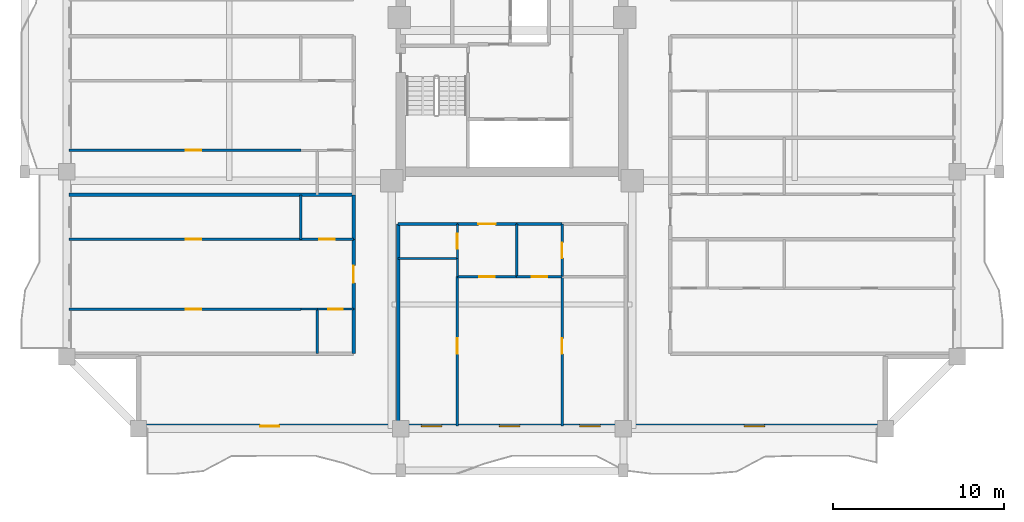
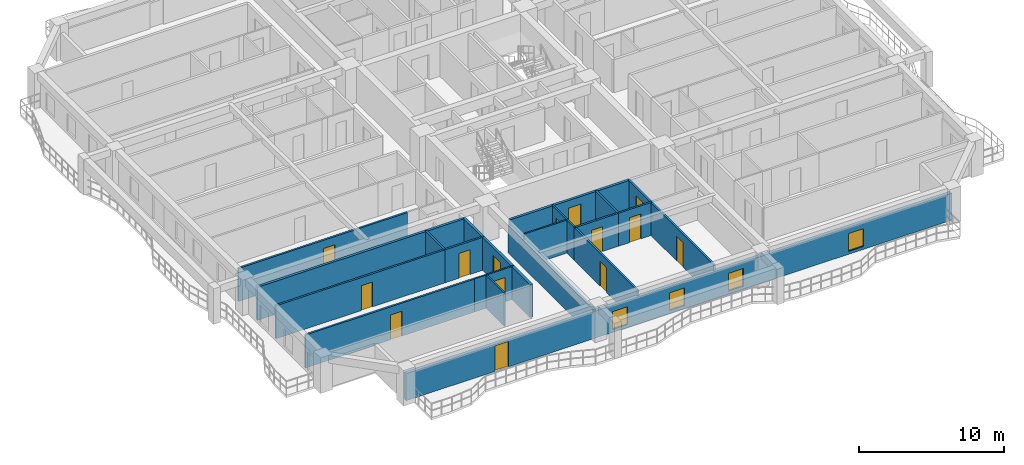
# One storey, part 2 of 14: 26 walls, 14 doors, 4 windows, 18 openings.
"""IFC4 building model written with IfcOpenShell, lengths in metres."""

import ifcopenshell
import ifcopenshell.guid

model = None  # the IFC model being written
_history = None  # IfcOwnerHistory: only IFC2X3 demands one
_inside = {}  # id of a spatial element -> (the spatial element, [elements in it])
_under = {}  # id of a project, library or spatial element -> (it, [spatial elements below it])
_declared = {}  # id of a project -> (the project, [libraries it declares])
_typed = {}  # id of a type object -> (the type object, [elements of that type])
_made_of = {}  # id of a material, layer set ... -> (it, [elements and type objects made of it])


def new_model(schema):
    """Start an empty IFC model of exactly this schema.

    Asked for "IFC4X3", IfcOpenShell would pick the latest addendum, in which some entities
    have other attributes; the version numbers below select the first issue.
    IFC2X3 requires an IfcOwnerHistory on every rooted entity: one is made here for all.
    """
    global model, _history
    if schema == "IFC4X3":
        model = ifcopenshell.file(schema_version=(4, 3, 0, 0))
    else:
        model = ifcopenshell.file(schema=schema)
    _inside.clear()
    _under.clear()
    _declared.clear()
    _typed.clear()
    _made_of.clear()
    _history = None
    if model.schema == "IFC2X3":
        org = make("IfcOrganization", Name="unknown")
        user = make(
            "IfcPersonAndOrganization",
            ThePerson=make("IfcPerson", FamilyName="unknown"),
            TheOrganization=org,
        )
        app = make(
            "IfcApplication",
            ApplicationDeveloper=org,
            Version="unknown",
            ApplicationFullName="unknown",
            ApplicationIdentifier="unknown",
        )
        _history = make(
            "IfcOwnerHistory",
            OwningUser=user,
            OwningApplication=app,
            ChangeAction="ADDED",
            CreationDate=0,
        )
    return model


def make(cls, **values):
    """One entity of the class cls with the attributes given. An attribute that is None is left unset."""
    return model.create_entity(
        cls, **{name: value for name, value in values.items() if value is not None}
    )


def rooted(cls, **values):
    """An entity with a GlobalId (a new one), such as an element, a storey or a relation."""
    return make(cls, GlobalId=ifcopenshell.guid.new(), OwnerHistory=_history, **values)


def si_unit(unit_type, name, prefix=None):
    """IfcSIUnit, for example si_unit("LENGTHUNIT", "METRE", prefix="MILLI")."""
    return make("IfcSIUnit", UnitType=unit_type, Prefix=prefix, Name=name)


def assignment(units):
    """IfcUnitAssignment: the units of a project."""
    return None if units is None else make("IfcUnitAssignment", Units=units)


def point(xyz):
    """IfcCartesianPoint."""
    return None if xyz is None else make("IfcCartesianPoint", Coordinates=xyz)


def direction(xyz):
    """IfcDirection."""
    return None if xyz is None else make("IfcDirection", DirectionRatios=xyz)


def frame(location, z_axis=None, x_axis=None):
    """IfcAxis2Placement3D, a coordinate frame: its origin and axes. An axis left out is left unset."""
    return make(
        "IfcAxis2Placement3D",
        Location=point(location),
        Axis=direction(z_axis),
        RefDirection=direction(x_axis),
    )


def frame_2d(location, x_axis=None):
    """IfcAxis2Placement2D, a coordinate frame in the plane: its origin and x axis."""
    return make(
        "IfcAxis2Placement2D", Location=point(location), RefDirection=direction(x_axis)
    )


def origin():
    """The frame at (0, 0, 0) with its axes left unset."""
    return frame((0.0, 0.0, 0.0))


def place(relative_to, where):
    """IfcLocalPlacement: puts the frame where relative to a parent placement (None: the world)."""
    return make(
        "IfcLocalPlacement", PlacementRelTo=relative_to, RelativePlacement=where
    )


def context(
    kind, dimensions, precision=None, world=None, true_north=None, identifier=None
):
    """IfcGeometricRepresentationContext, for example the 3D "Model" context."""
    return make(
        "IfcGeometricRepresentationContext",
        ContextIdentifier=identifier,
        ContextType=kind,
        CoordinateSpaceDimension=dimensions,
        Precision=precision,
        WorldCoordinateSystem=world,
        TrueNorth=true_north,
    )


def subcontext(parent, identifier, kind, view, scale=None):
    """IfcGeometricRepresentationSubContext, for example "Body" below "Model"."""
    return make(
        "IfcGeometricRepresentationSubContext",
        ContextIdentifier=identifier,
        ContextType=kind,
        ParentContext=parent,
        TargetScale=scale,
        TargetView=view,
    )


def project(units=None, contexts=None):
    """IfcProject with its units and contexts."""
    return rooted(
        "IfcProject",
        Name="project",
        RepresentationContexts=contexts,
        UnitsInContext=assignment(units),
    )


def spatial(cls, under=None, at=None, **own):
    """A site, building, storey or space (cls), placed at a placement, below another one or the project."""
    s = rooted(cls, ObjectPlacement=at, **own)
    if under is not None:
        _under.setdefault(under.id(), (under, []))[1].append(s)
    return s


def profile(cls, at=None, kind="AREA", **sizes):
    """A parametric profile (cls). Its sizes go by their IFC names, for example OverallWidth=200.0."""
    return make(cls, ProfileType=kind, Position=at, **sizes)


def rectangle(**sizes):
    """IfcRectangleProfileDef."""
    return profile("IfcRectangleProfileDef", **sizes)


def extrude(swept, where, along, depth):
    """IfcExtrudedAreaSolid: the profile swept, set in the frame where, extruded along a direction by depth."""
    return make(
        "IfcExtrudedAreaSolid",
        SweptArea=swept,
        Position=where,
        ExtrudedDirection=direction(along),
        Depth=depth,
    )


def shape(context_of_items, identifier, shape_type, items):
    """IfcShapeRepresentation: the items that make up one representation, for example the "Body"."""
    return make(
        "IfcShapeRepresentation",
        ContextOfItems=context_of_items,
        RepresentationIdentifier=identifier,
        RepresentationType=shape_type,
        Items=items,
    )


def source(mapping_origin, context_of_items, identifier, shape_type, items):
    """IfcRepresentationMap: a shape defined once, which mapped items show again and again."""
    return make(
        "IfcRepresentationMap",
        MappingOrigin=mapping_origin,
        MappedRepresentation=shape(context_of_items, identifier, shape_type, items),
    )


def transform(
    local_origin,
    x_axis=None,
    y_axis=None,
    z_axis=None,
    scale=None,
    scale2=None,
    scale3=None,
    uniform=True,
):
    """IfcCartesianTransformationOperator3D, or its non-uniform kind. x_axis, y_axis, z_axis: its Axis1, 2, 3."""
    if uniform:
        return make(
            "IfcCartesianTransformationOperator3D",
            Axis1=direction(x_axis),
            Axis2=direction(y_axis),
            LocalOrigin=point(local_origin),
            Scale=scale,
            Axis3=direction(z_axis),
        )
    return make(
        "IfcCartesianTransformationOperator3DnonUniform",
        Axis1=direction(x_axis),
        Axis2=direction(y_axis),
        LocalOrigin=point(local_origin),
        Scale=scale,
        Axis3=direction(z_axis),
        Scale2=scale2,
        Scale3=scale3,
    )


def mapped(mapping_source, mapping_target):
    """IfcMappedItem: shows the shape of a source again, moved by a transform."""
    return make(
        "IfcMappedItem", MappingSource=mapping_source, MappingTarget=mapping_target
    )


def material(Name=None, Category=None):
    """IfcMaterial."""
    return make("IfcMaterial", Name=Name, Category=Category)


def layer(
    of_material, thickness, ventilated=None, Name=None, Category=None, Priority=None
):
    """IfcMaterialLayer: one layer of a wall or slab, of a material (None: an air gap)."""
    return make(
        "IfcMaterialLayer",
        Material=of_material,
        LayerThickness=thickness,
        IsVentilated=ventilated,
        Name=Name,
        Category=Category,
        Priority=Priority,
    )


def layer_set(layers, Name=None):
    """IfcMaterialLayerSet."""
    return make("IfcMaterialLayerSet", MaterialLayers=layers, LayerSetName=Name)


def made_of(thing, what):
    """Note that an element or type object is made of a material, layer set ...; save() writes the relation."""
    if what is not None:
        _made_of.setdefault(what.id(), (what, []))[1].append(thing)
    return thing


def type_object(cls, material=None, **own):
    """A type object (cls), such as IfcWallType, which elements share."""
    return made_of(rooted(cls, **own), material)


def element(
    cls,
    number,
    at=None,
    inside=None,
    cuts=None,
    type_object=None,
    material=None,
    context=None,
    identifier="Body",
    shape_type=None,
    held_by="IfcProductDefinitionShape",
    body=None,
    shapes=None,
    **own,
):
    """One element of the class cls, such as IfcWall. Its Tag is "e" and its number.

    at: its placement. inside: the storey or other place that contains it. cuts: it is an
    opening in that element (IfcRelVoidsElement). A single representation is given by context,
    identifier, shape_type and body (its items); several are given by shapes. held_by: the class
    of the entity that holds the representations. save() writes the other relations.
    """
    e = rooted(cls, Tag="e%d" % number, ObjectPlacement=at, **own)
    if body is not None:
        shapes = [shape(context, identifier, shape_type, body)]
    if shapes is not None:
        e.Representation = make(held_by, Representations=shapes)
    if inside is not None:
        _inside.setdefault(inside.id(), (inside, []))[1].append(e)
    if cuts is not None:
        rooted(
            "IfcRelVoidsElement", RelatingBuildingElement=cuts, RelatedOpeningElement=e
        )
    if type_object is not None:
        _typed.setdefault(type_object.id(), (type_object, []))[1].append(e)
    return made_of(e, material)


def fill(opening, filler):
    """IfcRelFillsElement: the door or window that sits in an opening."""
    return rooted(
        "IfcRelFillsElement",
        RelatingOpeningElement=opening,
        RelatedBuildingElement=filler,
    )


def aggregate(whole, parts):
    """IfcRelAggregates: a whole, such as a stair, and the parts it consists of."""
    return rooted("IfcRelAggregates", RelatingObject=whole, RelatedObjects=parts)


def save(model, path):
    """Write the relations noted so far, then the file.

    IfcRelAggregates (storeys below a building ...), IfcRelContainedInSpatialStructure (elements
    in a storey), IfcRelDefinesByType, IfcRelAssociatesMaterial and IfcRelDeclares: one each for
    every whole, place, type object, material and project.
    """
    for whole, parts in _under.values():
        aggregate(whole, parts)
    for where, things in _inside.values():
        rooted(
            "IfcRelContainedInSpatialStructure",
            RelatedElements=things,
            RelatingStructure=where,
        )
    for kind, things in _typed.values():
        rooted("IfcRelDefinesByType", RelatedObjects=things, RelatingType=kind)
    for what, things in _made_of.values():
        rooted("IfcRelAssociatesMaterial", RelatedObjects=things, RelatingMaterial=what)
    for by, libraries in _declared.values():
        rooted("IfcRelDeclares", RelatingContext=by, RelatedDefinitions=libraries)
    model.write(path)


model = new_model("IFC4")

# Units and contexts
model_context = context("Model", 3, precision=1e-05, world=origin(), true_north=direction((0.0, 1.0)))
body_context = subcontext(model_context, "Body", "Model", "MODEL_VIEW")
ifc_project = project(units=[si_unit("LENGTHUNIT", "METRE"), si_unit("AREAUNIT", "SQUARE_METRE"), si_unit("VOLUMEUNIT", "CUBIC_METRE"), si_unit("PLANEANGLEUNIT", "RADIAN"), si_unit("MASSUNIT", "GRAM", prefix="KILO")], contexts=[model_context])

# Site, building, storey
site_placement = place(None, origin())
site = spatial("IfcSite", under=ifc_project, at=site_placement, CompositionType="ELEMENT")
building_placement = place(site_placement, origin())
building = spatial("IfcBuilding", under=site, at=building_placement, Name="Saelheon Loggia Tower", CompositionType="ELEMENT")
storey_placement = place(building_placement, frame((0.0, 0.0, 119.85009765625)))
storey = spatial("IfcBuildingStorey", under=building, at=storey_placement, Name="L38", CompositionType="ELEMENT", Elevation=119.85009765625)

# Wall, openings, windows, door
ifc_material_1 = material(Name="Architectural Precast Concrete C40/50", Category="concrete")
ifc_layer_1 = layer(ifc_material_1, 0.280029296875)
ifc_layer_set_1 = layer_set([ifc_layer_1], Name="Architectural Precast Concrete C40/50")
wall_type_1 = type_object("IfcWallType", Name="Wall_Ext_Loggia_280", PredefinedType="SOLIDWALL", material=ifc_layer_set_1)
wall_1_placement = place(storey_placement, frame((16.199951171875, 3.139892578125, 0.0), z_axis=(0.0, 0.0, 1.0), x_axis=(1.0, 0.0, 0.0)))
wall_1 = element("IfcWall", 1, at=wall_1_placement, inside=storey, type_object=wall_type_1, Name="L38 South Loggia Inner Wall", PredefinedType="SOLIDWALL", context=body_context, shape_type="SweptSolid", body=[
    extrude(rectangle(XDim=43.60009765625, YDim=0.280029296875, at=frame_2d((21.800048828125, 0.0))), origin(), (0.0, 0.0, 1.0), 2.27978515625),
])
opening_1_placement = place(wall_1_placement, frame((8.2001953125, 0.0, 0.0), z_axis=(0.0, 0.0, 1.0), x_axis=(-1.0, 0.0, 0.0)))
opening_1 = element("IfcOpeningElement", 2, at=opening_1_placement, cuts=wall_1, Name="Opening TD1", PredefinedType="OPENING", context=body_context, shape_type="SweptSolid", body=[
    extrude(rectangle(XDim=1.10009765625, YDim=2.14990234375, at=frame_2d((0.550048828125, 1.074951171875))), frame((0.0, 0.152099609375, 0.0), z_axis=(0.0, -1.0, 0.0), x_axis=(1.0, 0.0, 0.0)), (0.0, 0.0, 1.0), 0.303955078125),
])
opening_2_placement = place(wall_1_placement, frame((16.511474609375, 0.0, 0.25)))
opening_2 = element("IfcOpeningElement", 3, at=opening_2_placement, cuts=wall_1, Name="Opening WN-03", PredefinedType="OPENING", context=body_context, shape_type="SweptSolid", body=[
    extrude(rectangle(XDim=1.199951171875, YDim=1.5, at=frame_2d((0.60009765625, 0.75))), frame((0.0, 0.152099609375, 0.0), z_axis=(0.0, -1.0, 0.0), x_axis=(1.0, 0.0, 0.0)), (0.0, 0.0, 1.0), 0.303955078125),
])
opening_3_placement = place(wall_1_placement, frame((21.0654296875, 0.0, 0.25)))
opening_3 = element("IfcOpeningElement", 4, at=opening_3_placement, cuts=wall_1, Name="Opening WN-03", PredefinedType="OPENING", context=body_context, shape_type="SweptSolid", body=[
    extrude(rectangle(XDim=1.199951171875, YDim=1.5, at=frame_2d((0.60009765625, 0.75))), frame((0.0, 0.152099609375, 0.0), z_axis=(0.0, -1.0, 0.0), x_axis=(1.0, 0.0, 0.0)), (0.0, 0.0, 1.0), 0.303955078125),
])
opening_4_placement = place(wall_1_placement, frame((25.75390625, 0.0, 0.25)))
opening_4 = element("IfcOpeningElement", 5, at=opening_4_placement, cuts=wall_1, Name="Opening WN-03", PredefinedType="OPENING", context=body_context, shape_type="SweptSolid", body=[
    extrude(rectangle(XDim=1.199951171875, YDim=1.5, at=frame_2d((0.60009765625, 0.75))), frame((0.0, 0.152099609375, 0.0), z_axis=(0.0, -1.0, 0.0), x_axis=(1.0, 0.0, 0.0)), (0.0, 0.0, 1.0), 0.303955078125),
])
opening_5_placement = place(wall_1_placement, frame((35.35009765625, 0.0, 0.25)))
opening_5 = element("IfcOpeningElement", 6, at=opening_5_placement, cuts=wall_1, Name="Opening WN-03", PredefinedType="OPENING", context=body_context, shape_type="SweptSolid", body=[
    extrude(rectangle(XDim=1.199951171875, YDim=1.5, at=frame_2d((0.60009765625, 0.75))), frame((0.0, 0.152099609375, 0.0), z_axis=(0.0, -1.0, 0.0), x_axis=(1.0, 0.0, 0.0)), (0.0, 0.0, 1.0), 0.303955078125),
])
ifc_material_2 = material(Name="Thermal-Break Aluminium and Triple Low-E Glass", Category="aluminium")
window_type = type_object("IfcWindowType", Name="Win_Bedroom_1200x1500", PartitioningType="SINGLE_PANEL", PredefinedType="WINDOW", material=ifc_material_2)
shared_shape_1 = source(origin(), body_context, "Body", "SweptSolid", [
    extrude(rectangle(XDim=1.199951171875, YDim=1.5, at=frame_2d((0.60009765625, 0.75))), frame((0.0, 0.030029296875, 0.0), z_axis=(0.0, -1.0, 0.0), x_axis=(1.0, 0.0, 0.0)), (0.0, 0.0, 1.0), 0.06005859375),
])
window_1_placement = place(opening_2_placement, origin())
window_1 = element("IfcWindow", 7, at=window_1_placement, inside=storey, type_object=window_type, Name="L38 S Dwelling Window 2", OverallHeight=1.5, OverallWidth=1.199951171875, PartitioningType="SINGLE_PANEL", PredefinedType="WINDOW", context=body_context, shape_type="MappedRepresentation", body=[
    mapped(shared_shape_1, transform((0.0, 0.0, 0.0), scale=1.0)),
])
fill(opening_2, window_1)
window_2_placement = place(opening_3_placement, origin())
window_2 = element("IfcWindow", 8, at=window_2_placement, inside=storey, type_object=window_type, Name="L38 S Dwelling Window 3", OverallHeight=1.5, OverallWidth=1.199951171875, PartitioningType="SINGLE_PANEL", PredefinedType="WINDOW", context=body_context, shape_type="MappedRepresentation", body=[
    mapped(shared_shape_1, transform((0.0, 0.0, 0.0), scale=1.0)),
])
fill(opening_3, window_2)
window_3_placement = place(opening_4_placement, origin())
window_3 = element("IfcWindow", 9, at=window_3_placement, inside=storey, type_object=window_type, Name="L38 S Dwelling Window 4", OverallHeight=1.5, OverallWidth=1.199951171875, PartitioningType="SINGLE_PANEL", PredefinedType="WINDOW", context=body_context, shape_type="MappedRepresentation", body=[
    mapped(shared_shape_1, transform((0.0, 0.0, 0.0), scale=1.0)),
])
fill(opening_4, window_3)
window_4_placement = place(opening_5_placement, origin())
window_4 = element("IfcWindow", 10, at=window_4_placement, inside=storey, type_object=window_type, Name="L38 S Dwelling Window 5", OverallHeight=1.5, OverallWidth=1.199951171875, PartitioningType="SINGLE_PANEL", PredefinedType="WINDOW", context=body_context, shape_type="MappedRepresentation", body=[
    mapped(shared_shape_1, transform((0.0, 0.0, 0.0), scale=1.0)),
])
fill(opening_5, window_4)
ifc_material_3 = material(Name="Thermal-Break Aluminium Glazed Door", Category="aluminium")
door_type_1 = type_object("IfcDoorType", Name="Door_Terrace_TD1", OperationType="NOTDEFINED", PredefinedType="DOOR", material=ifc_material_3)
shared_shape_2 = source(origin(), body_context, "Body", "SweptSolid", [
    extrude(rectangle(XDim=1.10009765625, YDim=2.14990234375, at=frame_2d((0.550048828125, 1.074951171875))), frame((0.0, 0.02490234375, 0.0), z_axis=(0.0, -1.0, 0.0), x_axis=(1.0, 0.0, 0.0)), (0.0, 0.0, 1.0), 0.050048828125),
])
door_1_placement = place(opening_1_placement, origin())
door_1 = element("IfcDoor", 11, at=door_1_placement, inside=storey, type_object=door_type_1, Name="L38 S Loggia Access Door", OperationType="SINGLE_SWING_LEFT", OverallHeight=2.14990234375, OverallWidth=1.10009765625, PredefinedType="DOOR", context=body_context, shape_type="MappedRepresentation", body=[
    mapped(shared_shape_2, transform((0.0, 0.0, 0.0), scale=1.0)),
])
fill(opening_1, door_1)

# Wall
ifc_material_4 = material(Name="Lightweight Autoclaved Aerated Concrete Block and Acoustic Gypsum", Category="concrete")
ifc_layer_2 = layer(ifc_material_4, 0.14990234375)
ifc_layer_set_2 = layer_set([ifc_layer_2], Name="Lightweight Autoclaved Aerated Concrete Block and Acoustic Gypsum")
wall_type_2 = type_object("IfcWallType", Name="Wall_Part_150", PredefinedType="PARTITIONING", material=ifc_layer_set_2)
wall_2_placement = place(storey_placement, frame((38.27294921875, 14.949951171875, 0.0), z_axis=(0.0, 0.0, 1.0), x_axis=(0.0, -1.0, 0.0)))
element("IfcWall", 12, at=wall_2_placement, inside=storey, type_object=wall_type_2, Name="L38 S Partition U06", PredefinedType="PARTITIONING", context=body_context, shape_type="SweptSolid", body=[
    extrude(rectangle(XDim=3.079833984375, YDim=0.14990234375, at=frame_2d((1.5400390625, 0.0))), origin(), (0.0, 0.0, 1.0), 2.789794921875),
])

# Wall, opening, door
wall_3_placement = place(storey_placement, frame((34.80810546875, 11.8701171875, 0.0), z_axis=(0.0, 0.0, 1.0), x_axis=(1.0, 0.0, 0.0)))
wall_3 = element("IfcWall", 13, at=wall_3_placement, inside=storey, type_object=wall_type_2, Name="L38 S Partition V07", PredefinedType="PARTITIONING", context=body_context, shape_type="SweptSolid", body=[
    extrude(rectangle(XDim=3.46484375, YDim=0.14990234375, at=frame_2d((1.732421875, 0.0))), origin(), (0.0, 0.0, 1.0), 2.789794921875),
])
opening_6_placement = place(wall_3_placement, frame((1.282470703125, 0.0, 0.0)))
opening_6 = element("IfcOpeningElement", 14, at=opening_6_placement, cuts=wall_3, Name="Opening D-IN2", PredefinedType="OPENING", context=body_context, shape_type="SweptSolid", body=[
    extrude(rectangle(XDim=0.89990234375, YDim=2.10009765625, at=frame_2d((0.449951171875, 1.050048828125))), frame((0.0, 0.0869140625, 0.0), z_axis=(0.0, -1.0, 0.0), x_axis=(1.0, 0.0, 0.0)), (0.0, 0.0, 1.0), 0.173828125),
])
ifc_material_5 = material(Name="Engineered Oak Flush Door", Category="timber")
door_type_2 = type_object("IfcDoorType", Name="Door_Int_900", OperationType="NOTDEFINED", PredefinedType="DOOR", material=ifc_material_5)
shared_shape_3 = source(origin(), body_context, "Body", "SweptSolid", [
    extrude(rectangle(XDim=0.89990234375, YDim=2.10009765625, at=frame_2d((0.449951171875, 1.050048828125))), frame((0.0, 0.02490234375, 0.0), z_axis=(0.0, -1.0, 0.0), x_axis=(1.0, 0.0, 0.0)), (0.0, 0.0, 1.0), 0.050048828125),
])
door_2_placement = place(opening_6_placement, origin())
door_2 = element("IfcDoor", 15, at=door_2_placement, inside=storey, type_object=door_type_2, Name="Unit U01 Living Door", OperationType="SINGLE_SWING_LEFT", OverallHeight=2.10009765625, OverallWidth=0.89990234375, PredefinedType="DOOR", context=body_context, shape_type="MappedRepresentation", body=[
    mapped(shared_shape_3, transform((0.0, 0.0, 0.0), scale=1.0)),
])
fill(opening_6, door_2)

wall_4_placement = place(storey_placement, frame((38.27294921875, 11.8701171875, 0.0), z_axis=(0.0, 0.0, 1.0), x_axis=(1.0, 0.0, 0.0)))
wall_4 = element("IfcWall", 16, at=wall_4_placement, inside=storey, type_object=wall_type_2, Name="L38 S Partition V08", PredefinedType="PARTITIONING", context=body_context, shape_type="SweptSolid", body=[
    extrude(rectangle(XDim=2.64990234375, YDim=0.14990234375, at=frame_2d((1.324951171875, 0.0))), origin(), (0.0, 0.0, 1.0), 2.789794921875),
])
opening_7_placement = place(wall_4_placement, frame((0.875, 0.0, 0.0)))
opening_7 = element("IfcOpeningElement", 17, at=opening_7_placement, cuts=wall_4, Name="Opening D-IN2", PredefinedType="OPENING", context=body_context, shape_type="SweptSolid", body=[
    extrude(rectangle(XDim=0.89990234375, YDim=2.10009765625, at=frame_2d((0.449951171875, 1.050048828125))), frame((0.0, 0.0869140625, 0.0), z_axis=(0.0, -1.0, 0.0), x_axis=(1.0, 0.0, 0.0)), (0.0, 0.0, 1.0), 0.173828125),
])
door_3_placement = place(opening_7_placement, origin())
door_3 = element("IfcDoor", 18, at=door_3_placement, inside=storey, type_object=door_type_2, Name="Unit U01 Music Hobby Studio Door", OperationType="SINGLE_SWING_RIGHT", OverallHeight=2.10009765625, OverallWidth=0.89990234375, PredefinedType="DOOR", context=body_context, shape_type="MappedRepresentation", body=[
    mapped(shared_shape_3, transform((0.0, 0.0, 0.0), scale=1.0)),
])
fill(opening_7, door_3)

wall_5_placement = place(storey_placement, frame((34.80810546875, 11.8701171875, 0.0), z_axis=(0.0, 0.0, 1.0), x_axis=(0.0, -1.0, 0.0)))
wall_5 = element("IfcWall", 19, at=wall_5_placement, inside=storey, type_object=wall_type_2, Name="L38 S Partition U14", PredefinedType="PARTITIONING", context=body_context, shape_type="SweptSolid", body=[
    extrude(rectangle(XDim=8.72021484375, YDim=0.14990234375, at=frame_2d((4.360107421875, 0.0))), origin(), (0.0, 0.0, 1.0), 2.789794921875),
])
opening_8_placement = place(wall_5_placement, frame((3.604248046875, 0.0, 0.0)))
opening_8 = element("IfcOpeningElement", 20, at=opening_8_placement, cuts=wall_5, Name="Opening D-IN2", PredefinedType="OPENING", context=body_context, shape_type="SweptSolid", body=[
    extrude(rectangle(XDim=0.89990234375, YDim=2.10009765625, at=frame_2d((0.449951171875, 1.050048828125))), frame((0.0, 0.0869140625, 0.0), z_axis=(0.0, -1.0, 0.0), x_axis=(1.0, 0.0, 0.0)), (0.0, 0.0, 1.0), 0.173828125),
])
door_4_placement = place(opening_8_placement, origin())
door_4 = element("IfcDoor", 21, at=door_4_placement, inside=storey, type_object=door_type_2, Name="Unit U01 Bedroom 2 Door", OperationType="SINGLE_SWING_RIGHT", OverallHeight=2.10009765625, OverallWidth=0.89990234375, PredefinedType="DOOR", context=body_context, shape_type="MappedRepresentation", body=[
    mapped(shared_shape_3, transform((0.0, 0.0, 0.0), scale=1.0)),
])
fill(opening_8, door_4)

wall_6_placement = place(storey_placement, frame((40.9228515625, 14.949951171875, 0.0), z_axis=(0.0, 0.0, 1.0), x_axis=(0.0, -1.0, 0.0)))
wall_6 = element("IfcWall", 22, at=wall_6_placement, inside=storey, type_object=wall_type_2, Name="L38 S Partition U15", PredefinedType="PARTITIONING", context=body_context, shape_type="SweptSolid", body=[
    extrude(rectangle(XDim=3.079833984375, YDim=0.14990234375, at=frame_2d((1.5400390625, 0.0))), origin(), (0.0, 0.0, 1.0), 2.789794921875),
])
opening_9_placement = place(wall_6_placement, frame((1.090087890625, 0.0, 0.0)))
opening_9 = element("IfcOpeningElement", 23, at=opening_9_placement, cuts=wall_6, Name="Opening D-IN2", PredefinedType="OPENING", context=body_context, shape_type="SweptSolid", body=[
    extrude(rectangle(XDim=0.89990234375, YDim=2.10009765625, at=frame_2d((0.449951171875, 1.050048828125))), frame((0.0, 0.0869140625, 0.0), z_axis=(0.0, -1.0, 0.0), x_axis=(1.0, 0.0, 0.0)), (0.0, 0.0, 1.0), 0.173828125),
])
door_5_placement = place(opening_9_placement, origin())
door_5 = element("IfcDoor", 24, at=door_5_placement, inside=storey, type_object=door_type_2, Name="Unit U01 Kitchen Door", OperationType="SINGLE_SWING_LEFT", OverallHeight=2.10009765625, OverallWidth=0.89990234375, PredefinedType="DOOR", context=body_context, shape_type="MappedRepresentation", body=[
    mapped(shared_shape_3, transform((0.0, 0.0, 0.0), scale=1.0)),
])
fill(opening_9, door_5)

wall_7_placement = place(storey_placement, frame((40.9228515625, 11.8701171875, 0.0), z_axis=(0.0, 0.0, 1.0), x_axis=(0.0, -1.0, 0.0)))
wall_7 = element("IfcWall", 25, at=wall_7_placement, inside=storey, type_object=wall_type_2, Name="L38 S Partition U16", PredefinedType="PARTITIONING", context=body_context, shape_type="SweptSolid", body=[
    extrude(rectangle(XDim=8.72021484375, YDim=0.14990234375, at=frame_2d((4.360107421875, 0.0))), origin(), (0.0, 0.0, 1.0), 2.789794921875),
])
opening_10_placement = place(wall_7_placement, frame((3.604248046875, 0.0, 0.0)))
opening_10 = element("IfcOpeningElement", 26, at=opening_10_placement, cuts=wall_7, Name="Opening D-IN2", PredefinedType="OPENING", context=body_context, shape_type="SweptSolid", body=[
    extrude(rectangle(XDim=0.89990234375, YDim=2.10009765625, at=frame_2d((0.449951171875, 1.050048828125))), frame((0.0, 0.0869140625, 0.0), z_axis=(0.0, -1.0, 0.0), x_axis=(1.0, 0.0, 0.0)), (0.0, 0.0, 1.0), 0.173828125),
])
door_6_placement = place(opening_10_placement, origin())
door_6 = element("IfcDoor", 27, at=door_6_placement, inside=storey, type_object=door_type_2, Name="Unit U01 Bedroom 1 Door", OperationType="SINGLE_SWING_RIGHT", OverallHeight=2.10009765625, OverallWidth=0.89990234375, PredefinedType="DOOR", context=body_context, shape_type="MappedRepresentation", body=[
    mapped(shared_shape_3, transform((0.0, 0.0, 0.0), scale=1.0)),
])
fill(opening_10, door_6)

# Wall
wall_8_placement = place(storey_placement, frame((25.669921875, 14.050048828125, 0.0), z_axis=(0.0, 0.0, 1.0), x_axis=(0.0, 1.0, 0.0)))
element("IfcWall", 28, at=wall_8_placement, inside=storey, type_object=wall_type_2, Name="L38 WS Partition V07", PredefinedType="PARTITIONING", context=body_context, shape_type="SweptSolid", body=[
    extrude(rectangle(XDim=2.599853515625, YDim=0.14990234375, at=frame_2d((1.2998046875, 0.0))), origin(), (0.0, 0.0, 1.0), 2.789794921875),
])

# Wall, opening, door
wall_9_placement = place(storey_placement, frame((25.669921875, 9.9755859375, 0.0), z_axis=(0.0, 0.0, 1.0), x_axis=(-1.0, 0.0, 0.0)))
wall_9 = element("IfcWall", 29, at=wall_9_placement, inside=storey, type_object=wall_type_2, Name="L38 WS Partition U10", PredefinedType="PARTITIONING", context=body_context, shape_type="SweptSolid", body=[
    extrude(rectangle(XDim=13.52001953125, YDim=0.14990234375, at=frame_2d((6.760009765625, 0.0))), origin(), (0.0, 0.0, 1.0), 2.789794921875),
])
opening_11_placement = place(wall_9_placement, frame((5.80419921875, 0.0, 0.0)))
opening_11 = element("IfcOpeningElement", 30, at=opening_11_placement, cuts=wall_9, Name="Opening D-IN2", PredefinedType="OPENING", context=body_context, shape_type="SweptSolid", body=[
    extrude(rectangle(XDim=0.89990234375, YDim=2.10009765625, at=frame_2d((0.449951171875, 1.050048828125))), frame((0.0, 0.0869140625, 0.0), z_axis=(0.0, -1.0, 0.0), x_axis=(1.0, 0.0, 0.0)), (0.0, 0.0, 1.0), 0.173828125),
])
door_7_placement = place(opening_11_placement, origin())
door_7 = element("IfcDoor", 31, at=door_7_placement, inside=storey, type_object=door_type_2, Name="Unit U05 Kitchen Door", OperationType="SINGLE_SWING_LEFT", OverallHeight=2.10009765625, OverallWidth=0.89990234375, PredefinedType="DOOR", context=body_context, shape_type="MappedRepresentation", body=[
    mapped(shared_shape_3, transform((0.0, 0.0, 0.0), scale=1.0)),
])
fill(opening_11, door_7)

wall_10_placement = place(storey_placement, frame((28.75, 14.050048828125, 0.0), z_axis=(0.0, 0.0, 1.0), x_axis=(-1.0, 0.0, 0.0)))
wall_10 = element("IfcWall", 32, at=wall_10_placement, inside=storey, type_object=wall_type_2, Name="L38 WS Partition U11", PredefinedType="PARTITIONING", context=body_context, shape_type="SweptSolid", body=[
    extrude(rectangle(XDim=3.080078125, YDim=0.14990234375, at=frame_2d((1.5400390625, 0.0))), origin(), (0.0, 0.0, 1.0), 2.789794921875),
])
opening_12_placement = place(wall_10_placement, frame((1.090087890625, 0.0, 0.0)))
opening_12 = element("IfcOpeningElement", 33, at=opening_12_placement, cuts=wall_10, Name="Opening D-IN2", PredefinedType="OPENING", context=body_context, shape_type="SweptSolid", body=[
    extrude(rectangle(XDim=0.89990234375, YDim=2.10009765625, at=frame_2d((0.449951171875, 1.050048828125))), frame((0.0, 0.0869140625, 0.0), z_axis=(0.0, -1.0, 0.0), x_axis=(1.0, 0.0, 0.0)), (0.0, 0.0, 1.0), 0.173828125),
])
door_8_placement = place(opening_12_placement, origin())
door_8 = element("IfcDoor", 34, at=door_8_placement, inside=storey, type_object=door_type_2, Name="Unit U05 Dressing Closet Door", OperationType="SINGLE_SWING_RIGHT", OverallHeight=2.10009765625, OverallWidth=0.89990234375, PredefinedType="DOOR", context=body_context, shape_type="MappedRepresentation", body=[
    mapped(shared_shape_3, transform((0.0, 0.0, 0.0), scale=1.0)),
])
fill(opening_12, door_8)

wall_11_placement = place(storey_placement, frame((25.669921875, 14.050048828125, 0.0), z_axis=(0.0, 0.0, 1.0), x_axis=(-1.0, 0.0, 0.0)))
wall_11 = element("IfcWall", 35, at=wall_11_placement, inside=storey, type_object=wall_type_2, Name="L38 WS Partition U12", PredefinedType="PARTITIONING", context=body_context, shape_type="SweptSolid", body=[
    extrude(rectangle(XDim=13.52001953125, YDim=0.14990234375, at=frame_2d((6.760009765625, 0.0))), origin(), (0.0, 0.0, 1.0), 2.789794921875),
])
opening_13_placement = place(wall_11_placement, frame((5.80419921875, 0.0, 0.0)))
opening_13 = element("IfcOpeningElement", 36, at=opening_13_placement, cuts=wall_11, Name="Opening D-IN2", PredefinedType="OPENING", context=body_context, shape_type="SweptSolid", body=[
    extrude(rectangle(XDim=0.89990234375, YDim=2.10009765625, at=frame_2d((0.449951171875, 1.050048828125))), frame((0.0, 0.0869140625, 0.0), z_axis=(0.0, -1.0, 0.0), x_axis=(1.0, 0.0, 0.0)), (0.0, 0.0, 1.0), 0.173828125),
])
door_9_placement = place(opening_13_placement, origin())
door_9 = element("IfcDoor", 37, at=door_9_placement, inside=storey, type_object=door_type_2, Name="Unit U05 Bedroom 1 Door", OperationType="SINGLE_SWING_LEFT", OverallHeight=2.10009765625, OverallWidth=0.89990234375, PredefinedType="DOOR", context=body_context, shape_type="MappedRepresentation", body=[
    mapped(shared_shape_3, transform((0.0, 0.0, 0.0), scale=1.0)),
])
fill(opening_13, door_9)

wall_12_placement = place(storey_placement, frame((25.669921875, 19.24560546875, 0.0), z_axis=(0.0, 0.0, 1.0), x_axis=(-1.0, 0.0, 0.0)))
wall_12 = element("IfcWall", 38, at=wall_12_placement, inside=storey, type_object=wall_type_2, Name="L38 WS Partition U21", PredefinedType="PARTITIONING", context=body_context, shape_type="SweptSolid", body=[
    extrude(rectangle(XDim=13.52001953125, YDim=0.14990234375, at=frame_2d((6.760009765625, 0.0))), origin(), (0.0, 0.0, 1.0), 2.789794921875),
])
opening_14_placement = place(wall_12_placement, frame((5.80419921875, 0.0, 0.0)))
opening_14 = element("IfcOpeningElement", 39, at=opening_14_placement, cuts=wall_12, Name="Opening D-IN2", PredefinedType="OPENING", context=body_context, shape_type="SweptSolid", body=[
    extrude(rectangle(XDim=0.89990234375, YDim=2.10009765625, at=frame_2d((0.449951171875, 1.050048828125))), frame((0.0, 0.0869140625, 0.0), z_axis=(0.0, -1.0, 0.0), x_axis=(1.0, 0.0, 0.0)), (0.0, 0.0, 1.0), 0.173828125),
])
door_10_placement = place(opening_14_placement, origin())
door_10 = element("IfcDoor", 40, at=door_10_placement, inside=storey, type_object=door_type_2, Name="Unit U06 Kitchen Door", OperationType="SINGLE_SWING_RIGHT", OverallHeight=2.10009765625, OverallWidth=0.89990234375, PredefinedType="DOOR", context=body_context, shape_type="MappedRepresentation", body=[
    mapped(shared_shape_3, transform((0.0, 0.0, 0.0), scale=1.0)),
])
fill(opening_14, door_10)

# Walls
ifc_material_6 = material(Name="Double Acoustic Stud and Fireboard Partition", Category="gypsum")
ifc_layer_3 = layer(ifc_material_6, 0.199951171875)
ifc_layer_set_3 = layer_set([ifc_layer_3], Name="Double Acoustic Stud and Fireboard Partition")
wall_type_3 = type_object("IfcWallType", Name="Wall_Party_200", PredefinedType="PARTITIONING", material=ifc_layer_set_3)
wall_13_placement = place(storey_placement, frame((31.35009765625, 14.949951171875, 0.0), z_axis=(0.0, 0.0, 1.0), x_axis=(0.0, -1.0, 0.0)))
element("IfcWall", 41, at=wall_13_placement, inside=storey, type_object=wall_type_3, Name="L38 S Partition U01", PredefinedType="PARTITIONING", context=body_context, shape_type="SweptSolid", body=[
    extrude(rectangle(XDim=11.800048828125, YDim=0.199951171875, at=frame_2d((5.89990234375, 0.0))), origin(), (0.0, 0.0, 1.0), 2.33984375),
])
wall_14_placement = place(storey_placement, frame((31.35009765625, 14.949951171875, 0.0), z_axis=(0.0, 0.0, 1.0), x_axis=(1.0, 0.0, 0.0)))
element("IfcWall", 42, at=wall_14_placement, inside=storey, type_object=wall_type_3, Name="L38 S Partition V03", PredefinedType="PARTITIONING", context=body_context, shape_type="SweptSolid", body=[
    extrude(rectangle(XDim=3.4580078125, YDim=0.199951171875, at=frame_2d((1.72900390625, 0.0))), origin(), (0.0, 0.0, 1.0), 2.789794921875),
])

# Wall, opening, door
wall_15_placement = place(storey_placement, frame((34.80810546875, 14.949951171875, 0.0), z_axis=(0.0, 0.0, 1.0), x_axis=(1.0, 0.0, 0.0)))
wall_15 = element("IfcWall", 43, at=wall_15_placement, inside=storey, type_object=wall_type_3, Name="L38 S Partition V04", PredefinedType="PARTITIONING", context=body_context, shape_type="SweptSolid", body=[
    extrude(rectangle(XDim=3.46484375, YDim=0.199951171875, at=frame_2d((1.732421875, 0.0))), origin(), (0.0, 0.0, 1.0), 2.789794921875),
])
opening_15_placement = place(wall_15_placement, frame((1.232421875, 0.0, 0.0)))
opening_15 = element("IfcOpeningElement", 44, at=opening_15_placement, cuts=wall_15, Name="Opening D-FD1", PredefinedType="OPENING", context=body_context, shape_type="SweptSolid", body=[
    extrude(rectangle(XDim=1.0, YDim=2.14990234375, at=frame_2d((0.5, 1.074951171875))), frame((0.0, 0.112060546875, 0.0), z_axis=(0.0, -1.0, 0.0), x_axis=(1.0, 0.0, 0.0)), (0.0, 0.0, 1.0), 0.223876953125),
])
ifc_material_7 = material(Name="Fire-Rated Engineered Timber Entrance Door", Category="wood")
door_type_3 = type_object("IfcDoorType", Name="Door_Flat_FD30S", OperationType="NOTDEFINED", PredefinedType="DOOR", material=ifc_material_7)
shared_shape_4 = source(origin(), body_context, "Body", "SweptSolid", [
    extrude(rectangle(XDim=1.0, YDim=2.14990234375, at=frame_2d((0.5, 1.074951171875))), frame((0.0, 0.02490234375, 0.0), z_axis=(0.0, -1.0, 0.0), x_axis=(1.0, 0.0, 0.0)), (0.0, 0.0, 1.0), 0.050048828125),
])
door_11_placement = place(opening_15_placement, origin())
door_11 = element("IfcDoor", 45, at=door_11_placement, inside=storey, type_object=door_type_3, Name="Unit U01 Entrance Door", OperationType="SINGLE_SWING_RIGHT", OverallHeight=2.14990234375, OverallWidth=1.0, PredefinedType="DOOR", context=body_context, shape_type="MappedRepresentation", body=[
    mapped(shared_shape_4, transform((0.0, 0.0, 0.0), scale=1.0)),
])
fill(opening_15, door_11)

# Walls
wall_16_placement = place(storey_placement, frame((38.27294921875, 14.949951171875, 0.0), z_axis=(0.0, 0.0, 1.0), x_axis=(1.0, 0.0, 0.0)))
element("IfcWall", 46, at=wall_16_placement, inside=storey, type_object=wall_type_3, Name="L38 S Partition V05", PredefinedType="PARTITIONING", context=body_context, shape_type="SweptSolid", body=[
    extrude(rectangle(XDim=2.64990234375, YDim=0.199951171875, at=frame_2d((1.324951171875, 0.0))), origin(), (0.0, 0.0, 1.0), 2.789794921875),
])
wall_17_placement = place(storey_placement, frame((28.75, 7.3798828125, 0.0), z_axis=(0.0, 0.0, 1.0), x_axis=(0.0, 1.0, 0.0)))
element("IfcWall", 47, at=wall_17_placement, inside=storey, type_object=wall_type_3, Name="L38 WS Partition V03", PredefinedType="PARTITIONING", context=body_context, shape_type="SweptSolid", body=[
    extrude(rectangle(XDim=2.595703125, YDim=0.199951171875, at=frame_2d((1.2978515625, 0.0))), origin(), (0.0, 0.0, 1.0), 2.789794921875),
])

# Wall, opening, door
wall_18_placement = place(storey_placement, frame((28.75, 9.9755859375, 0.0), z_axis=(0.0, 0.0, 1.0), x_axis=(0.0, 1.0, 0.0)))
wall_18 = element("IfcWall", 48, at=wall_18_placement, inside=storey, type_object=wall_type_3, Name="L38 WS Partition V04", PredefinedType="PARTITIONING", context=body_context, shape_type="SweptSolid", body=[
    extrude(rectangle(XDim=4.074462890625, YDim=0.199951171875, at=frame_2d((2.037109375, 0.0))), origin(), (0.0, 0.0, 1.0), 2.789794921875),
])
opening_16_placement = place(wall_18_placement, frame((1.537109375, 0.0, 0.0)))
opening_16 = element("IfcOpeningElement", 49, at=opening_16_placement, cuts=wall_18, Name="Opening D-FD1", PredefinedType="OPENING", context=body_context, shape_type="SweptSolid", body=[
    extrude(rectangle(XDim=1.0, YDim=2.14990234375, at=frame_2d((0.5, 1.074951171875))), frame((0.0, 0.112060546875, 0.0), z_axis=(0.0, -1.0, 0.0), x_axis=(1.0, 0.0, 0.0)), (0.0, 0.0, 1.0), 0.223876953125),
])
door_12_placement = place(opening_16_placement, origin())
door_12 = element("IfcDoor", 50, at=door_12_placement, inside=storey, type_object=door_type_3, Name="Unit U05 Entrance Door", OperationType="SINGLE_SWING_LEFT", OverallHeight=2.14990234375, OverallWidth=1.0, PredefinedType="DOOR", context=body_context, shape_type="MappedRepresentation", body=[
    mapped(shared_shape_4, transform((0.0, 0.0, 0.0), scale=1.0)),
])
fill(opening_16, door_12)

# Walls
wall_19_placement = place(storey_placement, frame((28.75, 14.050048828125, 0.0), z_axis=(0.0, 0.0, 1.0), x_axis=(0.0, 1.0, 0.0)))
element("IfcWall", 51, at=wall_19_placement, inside=storey, type_object=wall_type_3, Name="L38 WS Partition V05", PredefinedType="PARTITIONING", context=body_context, shape_type="SweptSolid", body=[
    extrude(rectangle(XDim=2.599853515625, YDim=0.199951171875, at=frame_2d((1.2998046875, 0.0))), origin(), (0.0, 0.0, 1.0), 2.789794921875),
])
wall_20_placement = place(storey_placement, frame((28.75, 16.64990234375, 0.0), z_axis=(0.0, 0.0, 1.0), x_axis=(-1.0, 0.0, 0.0)))
element("IfcWall", 52, at=wall_20_placement, inside=storey, type_object=wall_type_3, Name="L38 WS Partition U13", PredefinedType="PARTITIONING", context=body_context, shape_type="SweptSolid", body=[
    extrude(rectangle(XDim=16.60009765625, YDim=0.199951171875, at=frame_2d((8.300048828125, 0.0))), origin(), (0.0, 0.0, 1.0), 2.789794921875),
])
ifc_material_8 = material(Name="Moisture-Resistant Cement Board Partition", Category="gypsum")
ifc_layer_4 = layer(ifc_material_8, 0.1201171875)
ifc_layer_set_4 = layer_set([ifc_layer_4], Name="Moisture-Resistant Cement Board Partition")
wall_type_4 = type_object("IfcWallType", Name="Wall_WetPart_120", PredefinedType="PARTITIONING", material=ifc_layer_set_4)
wall_21_placement = place(storey_placement, frame((31.35009765625, 12.929931640625, 0.0), z_axis=(0.0, 0.0, 1.0), x_axis=(1.0, 0.0, 0.0)))
element("IfcWall", 53, at=wall_21_placement, inside=storey, type_object=wall_type_4, Name="L38 S Partition V10", PredefinedType="PARTITIONING", context=body_context, shape_type="SweptSolid", body=[
    extrude(rectangle(XDim=3.4580078125, YDim=0.1201171875, at=frame_2d((1.72900390625, 0.0))), origin(), (0.0, 0.0, 1.0), 2.789794921875),
])

# Wall, opening, door
wall_22_placement = place(storey_placement, frame((34.80810546875, 14.949951171875, 0.0), z_axis=(0.0, 0.0, 1.0), x_axis=(0.0, -1.0, 0.0)))
wall_22 = element("IfcWall", 54, at=wall_22_placement, inside=storey, type_object=wall_type_4, Name="L38 S Partition U12", PredefinedType="PARTITIONING", context=body_context, shape_type="SweptSolid", body=[
    extrude(rectangle(XDim=2.02001953125, YDim=0.1201171875, at=frame_2d((1.010009765625, 0.0))), origin(), (0.0, 0.0, 1.0), 2.789794921875),
])
opening_17_placement = place(wall_22_placement, frame((0.5849609375, 0.0, 0.0)))
opening_17 = element("IfcOpeningElement", 55, at=opening_17_placement, cuts=wall_22, Name="Opening D-BT1", PredefinedType="OPENING", context=body_context, shape_type="SweptSolid", body=[
    extrude(rectangle(XDim=0.85009765625, YDim=2.050048828125, at=frame_2d((0.425048828125, 1.02490234375))), frame((0.0, 0.072021484375, 0.0), z_axis=(0.0, -1.0, 0.0), x_axis=(1.0, 0.0, 0.0)), (0.0, 0.0, 1.0), 0.14404296875),
])
ifc_material_9 = material(Name="Moisture-Resistant Laminate Timber Door", Category="wood")
door_type_4 = type_object("IfcDoorType", Name="Door_Bath_850", OperationType="NOTDEFINED", PredefinedType="DOOR", material=ifc_material_9)
shared_shape_5 = source(origin(), body_context, "Body", "SweptSolid", [
    extrude(rectangle(XDim=0.85009765625, YDim=2.050048828125, at=frame_2d((0.425048828125, 1.02490234375))), frame((0.0, 0.02490234375, 0.0), z_axis=(0.0, -1.0, 0.0), x_axis=(1.0, 0.0, 0.0)), (0.0, 0.0, 1.0), 0.050048828125),
])
door_13_placement = place(opening_17_placement, origin())
door_13 = element("IfcDoor", 56, at=door_13_placement, inside=storey, type_object=door_type_4, Name="Unit U01 Bathroom Door", OperationType="SINGLE_SWING_LEFT", OverallHeight=2.050048828125, OverallWidth=0.85009765625, PredefinedType="DOOR", context=body_context, shape_type="MappedRepresentation", body=[
    mapped(shared_shape_5, transform((0.0, 0.0, 0.0), scale=1.0)),
])
fill(opening_17, door_13)

# Walls
wall_23_placement = place(storey_placement, frame((34.80810546875, 12.929931640625, 0.0), z_axis=(0.0, 0.0, 1.0), x_axis=(0.0, -1.0, 0.0)))
element("IfcWall", 57, at=wall_23_placement, inside=storey, type_object=wall_type_4, Name="L38 S Partition U13", PredefinedType="PARTITIONING", context=body_context, shape_type="SweptSolid", body=[
    extrude(rectangle(XDim=1.059814453125, YDim=0.1201171875, at=frame_2d((0.52978515625, 0.0))), origin(), (0.0, 0.0, 1.0), 2.789794921875),
])
wall_24_placement = place(storey_placement, frame((26.6298828125, 7.3798828125, 0.0), z_axis=(0.0, 0.0, 1.0), x_axis=(0.0, 1.0, 0.0)))
element("IfcWall", 58, at=wall_24_placement, inside=storey, type_object=wall_type_4, Name="L38 WS Partition V06", PredefinedType="PARTITIONING", context=body_context, shape_type="SweptSolid", body=[
    extrude(rectangle(XDim=2.595703125, YDim=0.1201171875, at=frame_2d((1.2978515625, 0.0))), origin(), (0.0, 0.0, 1.0), 2.789794921875),
])

# Wall, opening, door
wall_25_placement = place(storey_placement, frame((28.75, 9.9755859375, 0.0), z_axis=(0.0, 0.0, 1.0), x_axis=(-1.0, 0.0, 0.0)))
wall_25 = element("IfcWall", 59, at=wall_25_placement, inside=storey, type_object=wall_type_4, Name="L38 WS Partition U08", PredefinedType="PARTITIONING", context=body_context, shape_type="SweptSolid", body=[
    extrude(rectangle(XDim=2.1201171875, YDim=0.1201171875, at=frame_2d((1.06005859375, 0.0))), origin(), (0.0, 0.0, 1.0), 2.789794921875),
])
opening_18_placement = place(wall_25_placement, frame((0.635009765625, 0.0, 0.0)))
opening_18 = element("IfcOpeningElement", 60, at=opening_18_placement, cuts=wall_25, Name="Opening D-BT1", PredefinedType="OPENING", context=body_context, shape_type="SweptSolid", body=[
    extrude(rectangle(XDim=0.85009765625, YDim=2.050048828125, at=frame_2d((0.425048828125, 1.02490234375))), frame((0.0, 0.072021484375, 0.0), z_axis=(0.0, -1.0, 0.0), x_axis=(1.0, 0.0, 0.0)), (0.0, 0.0, 1.0), 0.14404296875),
])
door_14_placement = place(opening_18_placement, origin())
door_14 = element("IfcDoor", 61, at=door_14_placement, inside=storey, type_object=door_type_4, Name="Unit U05 Bathroom Door", OperationType="SINGLE_SWING_RIGHT", OverallHeight=2.050048828125, OverallWidth=0.85009765625, PredefinedType="DOOR", context=body_context, shape_type="MappedRepresentation", body=[
    mapped(shared_shape_5, transform((0.0, 0.0, 0.0), scale=1.0)),
])
fill(opening_18, door_14)

# Wall
wall_26_placement = place(storey_placement, frame((26.6298828125, 9.9755859375, 0.0), z_axis=(0.0, 0.0, 1.0), x_axis=(-1.0, 0.0, 0.0)))
element("IfcWall", 62, at=wall_26_placement, inside=storey, type_object=wall_type_4, Name="L38 WS Partition U09", PredefinedType="PARTITIONING", context=body_context, shape_type="SweptSolid", body=[
    extrude(rectangle(XDim=0.9599609375, YDim=0.1201171875, at=frame_2d((0.47998046875, 0.0))), origin(), (0.0, 0.0, 1.0), 2.789794921875),
])

save(model, "model.ifc")
